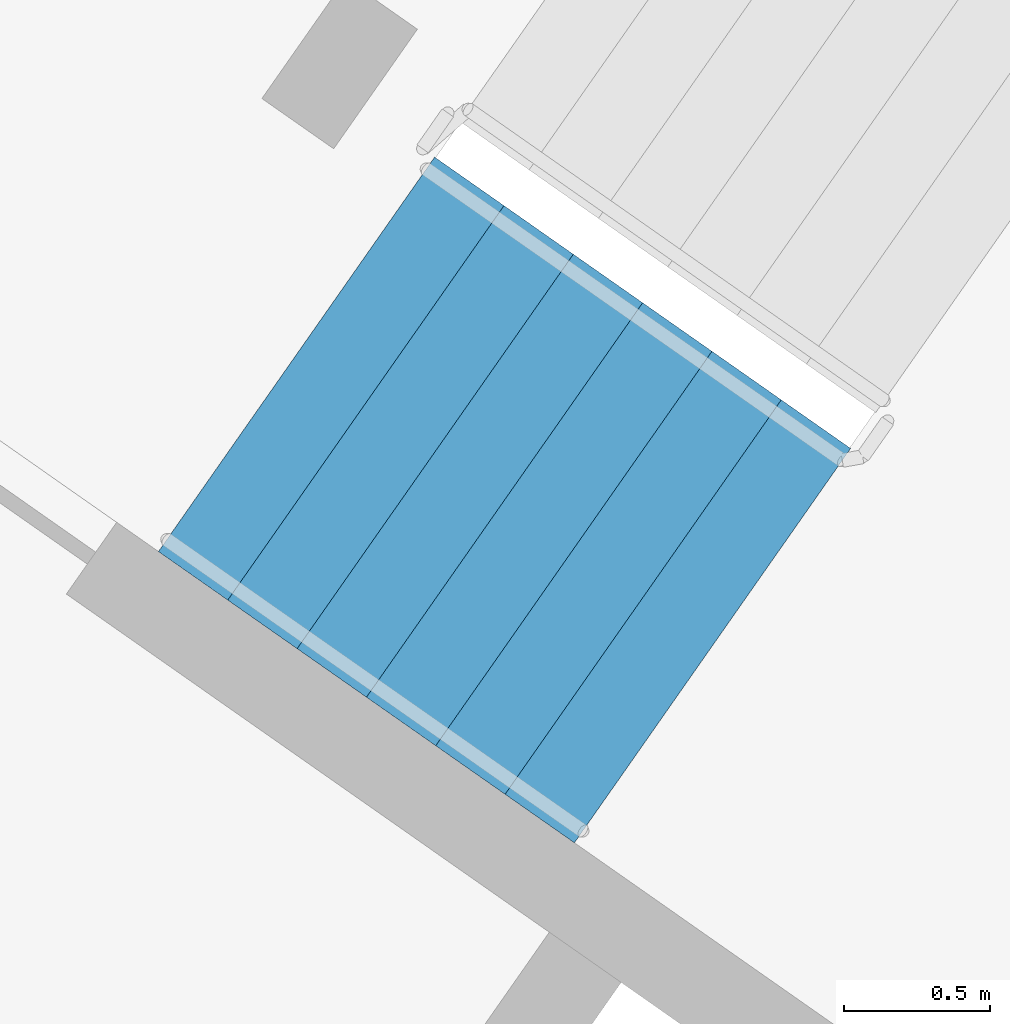
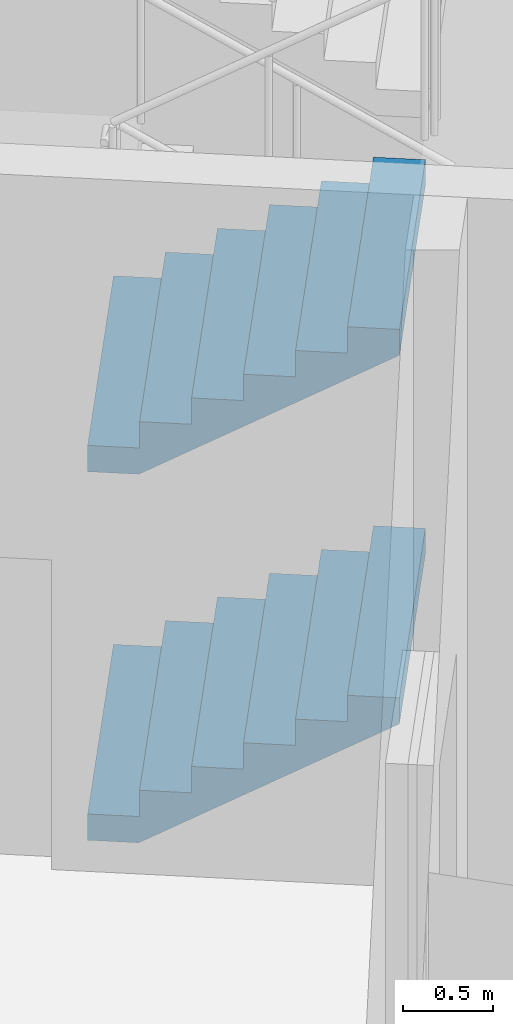
# One storey, part 15 of 24: 2 stair flights, 1 element without a shape of its own.
"""IFC4 building model written with IfcOpenShell, lengths in metres."""

from ifc_helpers import new_model, si_unit, direction, frame, origin, place, context, subcontext, project, spatial, faceted_brep, material, type_object, element, aggregate, save


model = new_model("IFC4")

# Units and contexts
model_context = context("Model", 3, precision=1e-05, world=origin(), true_north=direction((0.0, 1.0)))
body_context = subcontext(model_context, "Body", "Model", "MODEL_VIEW")
ifc_project = project(units=[si_unit("LENGTHUNIT", "METRE"), si_unit("AREAUNIT", "SQUARE_METRE"), si_unit("VOLUMEUNIT", "CUBIC_METRE"), si_unit("PLANEANGLEUNIT", "RADIAN"), si_unit("MASSUNIT", "GRAM", prefix="KILO")], contexts=[model_context])

# Site, building, storey
site_placement = place(None, origin())
site = spatial("IfcSite", under=ifc_project, at=site_placement, CompositionType="ELEMENT")
building_placement = place(site_placement, origin())
building = spatial("IfcBuilding", under=site, at=building_placement, Name="Qamariyya Broadcast Tower", CompositionType="ELEMENT")
storey_placement = place(building_placement, frame((0.0, 0.0, 198.699951171875)))
storey = spatial("IfcBuildingStorey", under=building, at=storey_placement, Name="L47", CompositionType="ELEMENT", Elevation=198.699951171875)

# Stair, stair flights
ifc_material = material(Name="Concrete C50/60", Category="concrete")
stair_type = type_object("IfcStairType", Name="Exit stair 28 risers of 179 mm", PredefinedType="HALF_TURN_STAIR", material=ifc_material)
stair_placement = place(storey_placement, origin())
stair = element("IfcStair", 1, at=stair_placement, inside=storey, type_object=stair_type, Name="L47 Stair W2", PredefinedType="HALF_TURN_STAIR")
stair_flight_type = type_object("IfcStairFlightType", Name="Exit stair flight 7 risers of 179 mm", PredefinedType="STRAIGHT", material=ifc_material)
stair_flight_1_placement = place(storey_placement, frame((-41.59130859375, -49.15966796875, 0.0), z_axis=(0.0, 0.0, 1.0), x_axis=(0.819152044289, -0.573576436351, 0.0)))
stair_flight_1 = element("IfcStairFlight", 2, at=stair_flight_1_placement, type_object=stair_flight_type, Name="ST-W2 flight 1", NumberOfRisers=7, NumberOfTreads=6, PredefinedType="STRAIGHT", RiserHeight=0.178571429, TreadLength=0.29, context=body_context, shape_type="Brep", body=[
    faceted_brep([(0.0, 0.824951171875, 0.0), (0.0, 0.824951171875, 0.178466796875), (0.2900390625, 0.824951171875, 0.178466796875), (0.2900390625, 0.824951171875, 0.357177734375), (0.580078125, 0.824951171875, 0.357177734375), (0.580078125, 0.824951171875, 0.53564453125), (0.8701171875, 0.824951171875, 0.53564453125), (0.8701171875, 0.824951171875, 0.71435546875), (1.159912109375, 0.824951171875, 0.71435546875), (1.159912109375, 0.824951171875, 0.892822265625), (1.449951171875, 0.824951171875, 0.892822265625), (1.449951171875, 0.824951171875, 1.071533203125), (1.739990234375, 0.824951171875, 1.071533203125), (1.739990234375, 0.824951171875, 0.8955078125), (0.285888671875, 0.824951171875, 0.0), (0.285888671875, -0.824951171875, 0.0), (1.739990234375, -0.824951171875, 0.8955078125), (1.739990234375, -0.824951171875, 1.071533203125), (1.449951171875, -0.824951171875, 1.071533203125), (1.449951171875, -0.824951171875, 0.892822265625), (1.159912109375, -0.824951171875, 0.892822265625), (1.159912109375, -0.824951171875, 0.71435546875), (0.8701171875, -0.824951171875, 0.71435546875), (0.8701171875, -0.824951171875, 0.53564453125), (0.580078125, -0.824951171875, 0.53564453125), (0.580078125, -0.824951171875, 0.357177734375), (0.2900390625, -0.824951171875, 0.357177734375), (0.2900390625, -0.824951171875, 0.178466796875), (0.0, -0.824951171875, 0.178466796875), (0.0, -0.824951171875, 0.0), (0.0, 0.10009765625, 0.0), (0.0, 0.086669921875, 0.0), (0.0, 0.0732421875, 0.0), (0.0, 0.06005859375, 0.0), (0.0, 0.046630859375, 0.0), (0.0, 0.033447265625, 0.0), (0.0, 0.02001953125, 0.0), (0.0, 0.006591796875, 0.0), (0.0, -0.006591796875, 0.0), (0.0, -0.02001953125, 0.0), (0.0, -0.033447265625, 0.0), (0.0, -0.046630859375, 0.0), (0.0, -0.06005859375, 0.0), (0.0, -0.0732421875, 0.0), (0.0, -0.086669921875, 0.0), (0.0, -0.10009765625, 0.0), (0.0, -0.10009765625, 0.178466796875), (0.0, -0.086669921875, 0.178466796875), (0.0, -0.0732421875, 0.178466796875), (0.0, -0.06005859375, 0.178466796875), (0.0, -0.046630859375, 0.178466796875), (0.0, -0.033447265625, 0.178466796875), (0.0, -0.02001953125, 0.178466796875), (0.0, -0.006591796875, 0.178466796875), (0.0, 0.006591796875, 0.178466796875), (0.0, 0.02001953125, 0.178466796875), (0.0, 0.033447265625, 0.178466796875), (0.0, 0.046630859375, 0.178466796875), (0.0, 0.06005859375, 0.178466796875), (0.0, 0.0732421875, 0.178466796875), (0.0, 0.086669921875, 0.178466796875), (0.0, 0.10009765625, 0.178466796875), (0.2900390625, -0.10009765625, 0.178466796875), (0.2900390625, -0.086669921875, 0.178466796875), (0.2900390625, -0.0732421875, 0.178466796875), (0.2900390625, -0.06005859375, 0.178466796875), (0.2900390625, -0.046630859375, 0.178466796875), (0.2900390625, -0.033447265625, 0.178466796875), (0.2900390625, -0.02001953125, 0.178466796875), (0.2900390625, -0.006591796875, 0.178466796875), (0.2900390625, 0.006591796875, 0.178466796875), (0.2900390625, 0.02001953125, 0.178466796875), (0.2900390625, 0.033447265625, 0.178466796875), (0.2900390625, 0.046630859375, 0.178466796875), (0.2900390625, 0.06005859375, 0.178466796875), (0.2900390625, 0.0732421875, 0.178466796875), (0.2900390625, 0.086669921875, 0.178466796875), (0.2900390625, 0.10009765625, 0.178466796875), (0.2900390625, -0.10009765625, 0.357177734375), (0.2900390625, -0.086669921875, 0.357177734375), (0.2900390625, -0.0732421875, 0.357177734375), (0.2900390625, -0.06005859375, 0.357177734375), (0.2900390625, -0.046630859375, 0.357177734375), (0.2900390625, -0.033447265625, 0.357177734375), (0.2900390625, -0.02001953125, 0.357177734375), (0.2900390625, -0.006591796875, 0.357177734375), (0.2900390625, 0.006591796875, 0.357177734375), (0.2900390625, 0.02001953125, 0.357177734375), (0.2900390625, 0.033447265625, 0.357177734375), (0.2900390625, 0.046630859375, 0.357177734375), (0.2900390625, 0.06005859375, 0.357177734375), (0.2900390625, 0.0732421875, 0.357177734375), (0.2900390625, 0.086669921875, 0.357177734375), (0.2900390625, 0.10009765625, 0.357177734375), (0.580078125, -0.10009765625, 0.357177734375), (0.580078125, -0.086669921875, 0.357177734375), (0.580078125, -0.0732421875, 0.357177734375), (0.580078125, -0.06005859375, 0.357177734375), (0.580078125, -0.046630859375, 0.357177734375), (0.580078125, -0.033447265625, 0.357177734375), (0.580078125, -0.02001953125, 0.357177734375), (0.580078125, -0.006591796875, 0.357177734375), (0.580078125, 0.006591796875, 0.357177734375), (0.580078125, 0.02001953125, 0.357177734375), (0.580078125, 0.033447265625, 0.357177734375), (0.580078125, 0.046630859375, 0.357177734375), (0.580078125, 0.06005859375, 0.357177734375), (0.580078125, 0.0732421875, 0.357177734375), (0.580078125, 0.086669921875, 0.357177734375), (0.580078125, 0.10009765625, 0.357177734375), (0.580078125, -0.10009765625, 0.53564453125), (0.580078125, -0.086669921875, 0.53564453125), (0.580078125, -0.0732421875, 0.53564453125), (0.580078125, -0.06005859375, 0.53564453125), (0.580078125, -0.046630859375, 0.53564453125), (0.580078125, -0.033447265625, 0.53564453125), (0.580078125, -0.02001953125, 0.53564453125), (0.580078125, -0.006591796875, 0.53564453125), (0.580078125, 0.006591796875, 0.53564453125), (0.580078125, 0.02001953125, 0.53564453125), (0.580078125, 0.033447265625, 0.53564453125), (0.580078125, 0.046630859375, 0.53564453125), (0.580078125, 0.06005859375, 0.53564453125), (0.580078125, 0.0732421875, 0.53564453125), (0.580078125, 0.086669921875, 0.53564453125), (0.580078125, 0.10009765625, 0.53564453125), (0.8701171875, -0.10009765625, 0.53564453125), (0.8701171875, -0.086669921875, 0.53564453125), (0.8701171875, -0.0732421875, 0.53564453125), (0.8701171875, -0.06005859375, 0.53564453125), (0.8701171875, -0.046630859375, 0.53564453125), (0.8701171875, -0.033447265625, 0.53564453125), (0.8701171875, -0.02001953125, 0.53564453125), (0.8701171875, -0.006591796875, 0.53564453125), (0.8701171875, 0.006591796875, 0.53564453125), (0.8701171875, 0.02001953125, 0.53564453125), (0.8701171875, 0.033447265625, 0.53564453125), (0.8701171875, 0.046630859375, 0.53564453125), (0.8701171875, 0.06005859375, 0.53564453125), (0.8701171875, 0.0732421875, 0.53564453125), (0.8701171875, 0.086669921875, 0.53564453125), (0.8701171875, 0.10009765625, 0.53564453125), (0.8701171875, -0.10009765625, 0.71435546875), (0.8701171875, -0.086669921875, 0.71435546875), (0.8701171875, -0.0732421875, 0.71435546875), (0.8701171875, -0.06005859375, 0.71435546875), (0.8701171875, -0.046630859375, 0.71435546875), (0.8701171875, -0.033447265625, 0.71435546875), (0.8701171875, -0.02001953125, 0.71435546875), (0.8701171875, -0.006591796875, 0.71435546875), (0.8701171875, 0.006591796875, 0.71435546875), (0.8701171875, 0.02001953125, 0.71435546875), (0.8701171875, 0.033447265625, 0.71435546875), (0.8701171875, 0.046630859375, 0.71435546875), (0.8701171875, 0.06005859375, 0.71435546875), (0.8701171875, 0.0732421875, 0.71435546875), (0.8701171875, 0.086669921875, 0.71435546875), (0.8701171875, 0.10009765625, 0.71435546875), (1.159912109375, -0.10009765625, 0.71435546875), (1.159912109375, -0.086669921875, 0.71435546875), (1.159912109375, -0.0732421875, 0.71435546875), (1.159912109375, -0.06005859375, 0.71435546875), (1.159912109375, -0.046630859375, 0.71435546875), (1.159912109375, -0.033447265625, 0.71435546875), (1.159912109375, -0.02001953125, 0.71435546875), (1.159912109375, -0.006591796875, 0.71435546875), (1.159912109375, 0.006591796875, 0.71435546875), (1.159912109375, 0.02001953125, 0.71435546875), (1.159912109375, 0.033447265625, 0.71435546875), (1.159912109375, 0.046630859375, 0.71435546875), (1.159912109375, 0.06005859375, 0.71435546875), (1.159912109375, 0.0732421875, 0.71435546875), (1.159912109375, 0.086669921875, 0.71435546875), (1.159912109375, 0.10009765625, 0.71435546875), (1.159912109375, -0.10009765625, 0.892822265625), (1.159912109375, -0.086669921875, 0.892822265625), (1.159912109375, -0.0732421875, 0.892822265625), (1.159912109375, -0.06005859375, 0.892822265625), (1.159912109375, -0.046630859375, 0.892822265625), (1.159912109375, -0.033447265625, 0.892822265625), (1.159912109375, -0.02001953125, 0.892822265625), (1.159912109375, -0.006591796875, 0.892822265625), (1.159912109375, 0.006591796875, 0.892822265625), (1.159912109375, 0.02001953125, 0.892822265625), (1.159912109375, 0.033447265625, 0.892822265625), (1.159912109375, 0.046630859375, 0.892822265625), (1.159912109375, 0.06005859375, 0.892822265625), (1.159912109375, 0.0732421875, 0.892822265625), (1.159912109375, 0.086669921875, 0.892822265625), (1.159912109375, 0.10009765625, 0.892822265625), (1.449951171875, -0.10009765625, 0.892822265625), (1.449951171875, -0.086669921875, 0.892822265625), (1.449951171875, -0.0732421875, 0.892822265625), (1.449951171875, -0.06005859375, 0.892822265625), (1.449951171875, -0.046630859375, 0.892822265625), (1.449951171875, -0.033447265625, 0.892822265625), (1.449951171875, -0.02001953125, 0.892822265625), (1.449951171875, -0.006591796875, 0.892822265625), (1.449951171875, 0.006591796875, 0.892822265625), (1.449951171875, 0.02001953125, 0.892822265625), (1.449951171875, 0.033447265625, 0.892822265625), (1.449951171875, 0.046630859375, 0.892822265625), (1.449951171875, 0.06005859375, 0.892822265625), (1.449951171875, 0.0732421875, 0.892822265625), (1.449951171875, 0.086669921875, 0.892822265625), (1.449951171875, 0.10009765625, 0.892822265625), (1.449951171875, -0.10009765625, 1.071533203125), (1.449951171875, -0.086669921875, 1.071533203125), (1.449951171875, -0.0732421875, 1.071533203125), (1.449951171875, -0.06005859375, 1.071533203125), (1.449951171875, -0.046630859375, 1.071533203125), (1.449951171875, -0.033447265625, 1.071533203125), (1.449951171875, -0.02001953125, 1.071533203125), (1.449951171875, -0.006591796875, 1.071533203125), (1.449951171875, 0.006591796875, 1.071533203125), (1.449951171875, 0.02001953125, 1.071533203125), (1.449951171875, 0.033447265625, 1.071533203125), (1.449951171875, 0.046630859375, 1.071533203125), (1.449951171875, 0.06005859375, 1.071533203125), (1.449951171875, 0.0732421875, 1.071533203125), (1.449951171875, 0.086669921875, 1.071533203125), (1.449951171875, 0.10009765625, 1.071533203125), (1.739990234375, -0.10009765625, 1.071533203125), (1.739990234375, -0.086669921875, 1.071533203125), (1.739990234375, -0.0732421875, 1.071533203125), (1.739990234375, -0.06005859375, 1.071533203125), (1.739990234375, -0.046630859375, 1.071533203125), (1.739990234375, -0.033447265625, 1.071533203125), (1.739990234375, -0.02001953125, 1.071533203125), (1.739990234375, -0.006591796875, 1.071533203125), (1.739990234375, 0.006591796875, 1.071533203125), (1.739990234375, 0.02001953125, 1.071533203125), (1.739990234375, 0.033447265625, 1.071533203125), (1.739990234375, 0.046630859375, 1.071533203125), (1.739990234375, 0.06005859375, 1.071533203125), (1.739990234375, 0.0732421875, 1.071533203125), (1.739990234375, 0.086669921875, 1.071533203125), (1.739990234375, 0.10009765625, 1.071533203125), (1.739990234375, -0.10009765625, 0.8955078125), (1.739990234375, -0.086669921875, 0.8955078125), (1.739990234375, -0.0732421875, 0.8955078125), (1.739990234375, -0.06005859375, 0.8955078125), (1.739990234375, -0.046630859375, 0.8955078125), (1.739990234375, -0.033447265625, 0.8955078125), (1.739990234375, -0.02001953125, 0.8955078125), (1.739990234375, -0.006591796875, 0.8955078125), (1.739990234375, 0.006591796875, 0.8955078125), (1.739990234375, 0.02001953125, 0.8955078125), (1.739990234375, 0.033447265625, 0.8955078125), (1.739990234375, 0.046630859375, 0.8955078125), (1.739990234375, 0.06005859375, 0.8955078125), (1.739990234375, 0.0732421875, 0.8955078125), (1.739990234375, 0.086669921875, 0.8955078125), (1.739990234375, 0.10009765625, 0.8955078125), (0.285888671875, -0.10009765625, 0.0), (0.285888671875, -0.086669921875, 0.0), (0.285888671875, -0.0732421875, 0.0), (0.285888671875, -0.06005859375, 0.0), (0.285888671875, -0.046630859375, 0.0), (0.285888671875, -0.033447265625, 0.0), (0.285888671875, -0.02001953125, 0.0), (0.285888671875, -0.006591796875, 0.0), (0.285888671875, 0.006591796875, 0.0), (0.285888671875, 0.02001953125, 0.0), (0.285888671875, 0.033447265625, 0.0), (0.285888671875, 0.046630859375, 0.0), (0.285888671875, 0.06005859375, 0.0), (0.285888671875, 0.0732421875, 0.0), (0.285888671875, 0.086669921875, 0.0), (0.285888671875, 0.10009765625, 0.0)], [[[0, 1, 2, 3, 4, 5, 6, 7, 8, 9, 10, 11, 12, 13, 14]], [[15, 16, 17, 18, 19, 20, 21, 22, 23, 24, 25, 26, 27, 28, 29]], [[0, 30, 31, 32, 33, 34, 35, 36, 37, 38, 39, 40, 41, 42, 43, 44, 45, 29, 28, 46, 47, 48, 49, 50, 51, 52, 53, 54, 55, 56, 57, 58, 59, 60, 61, 1]], [[1, 61, 60, 59, 58, 57, 56, 55, 54, 53, 52, 51, 50, 49, 48, 47, 46, 28, 27, 62, 63, 64, 65, 66, 67, 68, 69, 70, 71, 72, 73, 74, 75, 76, 77, 2]], [[2, 77, 76, 75, 74, 73, 72, 71, 70, 69, 68, 67, 66, 65, 64, 63, 62, 27, 26, 78, 79, 80, 81, 82, 83, 84, 85, 86, 87, 88, 89, 90, 91, 92, 93, 3]], [[3, 93, 92, 91, 90, 89, 88, 87, 86, 85, 84, 83, 82, 81, 80, 79, 78, 26, 25, 94, 95, 96, 97, 98, 99, 100, 101, 102, 103, 104, 105, 106, 107, 108, 109, 4]], [[4, 109, 108, 107, 106, 105, 104, 103, 102, 101, 100, 99, 98, 97, 96, 95, 94, 25, 24, 110, 111, 112, 113, 114, 115, 116, 117, 118, 119, 120, 121, 122, 123, 124, 125, 5]], [[5, 125, 124, 123, 122, 121, 120, 119, 118, 117, 116, 115, 114, 113, 112, 111, 110, 24, 23, 126, 127, 128, 129, 130, 131, 132, 133, 134, 135, 136, 137, 138, 139, 140, 141, 6]], [[6, 141, 140, 139, 138, 137, 136, 135, 134, 133, 132, 131, 130, 129, 128, 127, 126, 23, 22, 142, 143, 144, 145, 146, 147, 148, 149, 150, 151, 152, 153, 154, 155, 156, 157, 7]], [[7, 157, 156, 155, 154, 153, 152, 151, 150, 149, 148, 147, 146, 145, 144, 143, 142, 22, 21, 158, 159, 160, 161, 162, 163, 164, 165, 166, 167, 168, 169, 170, 171, 172, 173, 8]], [[8, 173, 172, 171, 170, 169, 168, 167, 166, 165, 164, 163, 162, 161, 160, 159, 158, 21, 20, 174, 175, 176, 177, 178, 179, 180, 181, 182, 183, 184, 185, 186, 187, 188, 189, 9]], [[9, 189, 188, 187, 186, 185, 184, 183, 182, 181, 180, 179, 178, 177, 176, 175, 174, 20, 19, 190, 191, 192, 193, 194, 195, 196, 197, 198, 199, 200, 201, 202, 203, 204, 205, 10]], [[10, 205, 204, 203, 202, 201, 200, 199, 198, 197, 196, 195, 194, 193, 192, 191, 190, 19, 18, 206, 207, 208, 209, 210, 211, 212, 213, 214, 215, 216, 217, 218, 219, 220, 221, 11]], [[11, 221, 220, 219, 218, 217, 216, 215, 214, 213, 212, 211, 210, 209, 208, 207, 206, 18, 17, 222, 223, 224, 225, 226, 227, 228, 229, 230, 231, 232, 233, 234, 235, 236, 237, 12]], [[12, 237, 236, 235, 234, 233, 232, 231, 230, 229, 228, 227, 226, 225, 224, 223, 222, 17, 16, 238, 239, 240, 241, 242, 243, 244, 245, 246, 247, 248, 249, 250, 251, 252, 253, 13]], [[13, 253, 252, 251, 250, 249, 248, 247, 246, 245, 244, 243, 242, 241, 240, 239, 238, 16, 15, 254, 255, 256, 257, 258, 259, 260, 261, 262, 263, 264, 265, 266, 267, 268, 269, 14]], [[14, 269, 268, 267, 266, 265, 264, 263, 262, 261, 260, 259, 258, 257, 256, 255, 254, 15, 29, 45, 44, 43, 42, 41, 40, 39, 38, 37, 36, 35, 34, 33, 32, 31, 30, 0]]]),
])
stair_flight_2_placement = place(storey_placement, frame((-41.59130859375, -49.15966796875, 2.5), z_axis=(0.0, 0.0, 1.0), x_axis=(0.819152044289, -0.573576436351, 0.0)))
stair_flight_2 = element("IfcStairFlight", 3, at=stair_flight_2_placement, type_object=stair_flight_type, Name="ST-W2 flight 3", NumberOfRisers=7, NumberOfTreads=6, PredefinedType="STRAIGHT", RiserHeight=0.178571429, TreadLength=0.29, context=body_context, shape_type="Brep", body=[
    faceted_brep([(0.0, 0.824951171875, 0.0), (0.0, 0.824951171875, 0.178466796875), (0.2900390625, 0.824951171875, 0.178466796875), (0.2900390625, 0.824951171875, 0.357177734375), (0.580078125, 0.824951171875, 0.357177734375), (0.580078125, 0.824951171875, 0.53564453125), (0.8701171875, 0.824951171875, 0.53564453125), (0.8701171875, 0.824951171875, 0.71435546875), (1.159912109375, 0.824951171875, 0.71435546875), (1.159912109375, 0.824951171875, 0.892822265625), (1.449951171875, 0.824951171875, 0.892822265625), (1.449951171875, 0.824951171875, 1.071533203125), (1.739990234375, 0.824951171875, 1.071533203125), (1.739990234375, 0.824951171875, 0.8955078125), (0.285888671875, 0.824951171875, 0.0), (0.285888671875, -0.824951171875, 0.0), (1.739990234375, -0.824951171875, 0.8955078125), (1.739990234375, -0.824951171875, 1.071533203125), (1.449951171875, -0.824951171875, 1.071533203125), (1.449951171875, -0.824951171875, 0.892822265625), (1.159912109375, -0.824951171875, 0.892822265625), (1.159912109375, -0.824951171875, 0.71435546875), (0.8701171875, -0.824951171875, 0.71435546875), (0.8701171875, -0.824951171875, 0.53564453125), (0.580078125, -0.824951171875, 0.53564453125), (0.580078125, -0.824951171875, 0.357177734375), (0.2900390625, -0.824951171875, 0.357177734375), (0.2900390625, -0.824951171875, 0.178466796875), (0.0, -0.824951171875, 0.178466796875), (0.0, -0.824951171875, 0.0), (0.0, 0.10009765625, 0.0), (0.0, 0.086669921875, 0.0), (0.0, 0.0732421875, 0.0), (0.0, 0.06005859375, 0.0), (0.0, 0.046630859375, 0.0), (0.0, 0.033447265625, 0.0), (0.0, 0.02001953125, 0.0), (0.0, 0.006591796875, 0.0), (0.0, -0.006591796875, 0.0), (0.0, -0.02001953125, 0.0), (0.0, -0.033447265625, 0.0), (0.0, -0.046630859375, 0.0), (0.0, -0.06005859375, 0.0), (0.0, -0.0732421875, 0.0), (0.0, -0.086669921875, 0.0), (0.0, -0.10009765625, 0.0), (0.0, -0.10009765625, 0.178466796875), (0.0, -0.086669921875, 0.178466796875), (0.0, -0.0732421875, 0.178466796875), (0.0, -0.06005859375, 0.178466796875), (0.0, -0.046630859375, 0.178466796875), (0.0, -0.033447265625, 0.178466796875), (0.0, -0.02001953125, 0.178466796875), (0.0, -0.006591796875, 0.178466796875), (0.0, 0.006591796875, 0.178466796875), (0.0, 0.02001953125, 0.178466796875), (0.0, 0.033447265625, 0.178466796875), (0.0, 0.046630859375, 0.178466796875), (0.0, 0.06005859375, 0.178466796875), (0.0, 0.0732421875, 0.178466796875), (0.0, 0.086669921875, 0.178466796875), (0.0, 0.10009765625, 0.178466796875), (0.2900390625, -0.10009765625, 0.178466796875), (0.2900390625, -0.086669921875, 0.178466796875), (0.2900390625, -0.0732421875, 0.178466796875), (0.2900390625, -0.06005859375, 0.178466796875), (0.2900390625, -0.046630859375, 0.178466796875), (0.2900390625, -0.033447265625, 0.178466796875), (0.2900390625, -0.02001953125, 0.178466796875), (0.2900390625, -0.006591796875, 0.178466796875), (0.2900390625, 0.006591796875, 0.178466796875), (0.2900390625, 0.02001953125, 0.178466796875), (0.2900390625, 0.033447265625, 0.178466796875), (0.2900390625, 0.046630859375, 0.178466796875), (0.2900390625, 0.06005859375, 0.178466796875), (0.2900390625, 0.0732421875, 0.178466796875), (0.2900390625, 0.086669921875, 0.178466796875), (0.2900390625, 0.10009765625, 0.178466796875), (0.2900390625, -0.10009765625, 0.357177734375), (0.2900390625, -0.086669921875, 0.357177734375), (0.2900390625, -0.0732421875, 0.357177734375), (0.2900390625, -0.06005859375, 0.357177734375), (0.2900390625, -0.046630859375, 0.357177734375), (0.2900390625, -0.033447265625, 0.357177734375), (0.2900390625, -0.02001953125, 0.357177734375), (0.2900390625, -0.006591796875, 0.357177734375), (0.2900390625, 0.006591796875, 0.357177734375), (0.2900390625, 0.02001953125, 0.357177734375), (0.2900390625, 0.033447265625, 0.357177734375), (0.2900390625, 0.046630859375, 0.357177734375), (0.2900390625, 0.06005859375, 0.357177734375), (0.2900390625, 0.0732421875, 0.357177734375), (0.2900390625, 0.086669921875, 0.357177734375), (0.2900390625, 0.10009765625, 0.357177734375), (0.580078125, -0.10009765625, 0.357177734375), (0.580078125, -0.086669921875, 0.357177734375), (0.580078125, -0.0732421875, 0.357177734375), (0.580078125, -0.06005859375, 0.357177734375), (0.580078125, -0.046630859375, 0.357177734375), (0.580078125, -0.033447265625, 0.357177734375), (0.580078125, -0.02001953125, 0.357177734375), (0.580078125, -0.006591796875, 0.357177734375), (0.580078125, 0.006591796875, 0.357177734375), (0.580078125, 0.02001953125, 0.357177734375), (0.580078125, 0.033447265625, 0.357177734375), (0.580078125, 0.046630859375, 0.357177734375), (0.580078125, 0.06005859375, 0.357177734375), (0.580078125, 0.0732421875, 0.357177734375), (0.580078125, 0.086669921875, 0.357177734375), (0.580078125, 0.10009765625, 0.357177734375), (0.580078125, -0.10009765625, 0.53564453125), (0.580078125, -0.086669921875, 0.53564453125), (0.580078125, -0.0732421875, 0.53564453125), (0.580078125, -0.06005859375, 0.53564453125), (0.580078125, -0.046630859375, 0.53564453125), (0.580078125, -0.033447265625, 0.53564453125), (0.580078125, -0.02001953125, 0.53564453125), (0.580078125, -0.006591796875, 0.53564453125), (0.580078125, 0.006591796875, 0.53564453125), (0.580078125, 0.02001953125, 0.53564453125), (0.580078125, 0.033447265625, 0.53564453125), (0.580078125, 0.046630859375, 0.53564453125), (0.580078125, 0.06005859375, 0.53564453125), (0.580078125, 0.0732421875, 0.53564453125), (0.580078125, 0.086669921875, 0.53564453125), (0.580078125, 0.10009765625, 0.53564453125), (0.8701171875, -0.10009765625, 0.53564453125), (0.8701171875, -0.086669921875, 0.53564453125), (0.8701171875, -0.0732421875, 0.53564453125), (0.8701171875, -0.06005859375, 0.53564453125), (0.8701171875, -0.046630859375, 0.53564453125), (0.8701171875, -0.033447265625, 0.53564453125), (0.8701171875, -0.02001953125, 0.53564453125), (0.8701171875, -0.006591796875, 0.53564453125), (0.8701171875, 0.006591796875, 0.53564453125), (0.8701171875, 0.02001953125, 0.53564453125), (0.8701171875, 0.033447265625, 0.53564453125), (0.8701171875, 0.046630859375, 0.53564453125), (0.8701171875, 0.06005859375, 0.53564453125), (0.8701171875, 0.0732421875, 0.53564453125), (0.8701171875, 0.086669921875, 0.53564453125), (0.8701171875, 0.10009765625, 0.53564453125), (0.8701171875, -0.10009765625, 0.71435546875), (0.8701171875, -0.086669921875, 0.71435546875), (0.8701171875, -0.0732421875, 0.71435546875), (0.8701171875, -0.06005859375, 0.71435546875), (0.8701171875, -0.046630859375, 0.71435546875), (0.8701171875, -0.033447265625, 0.71435546875), (0.8701171875, -0.02001953125, 0.71435546875), (0.8701171875, -0.006591796875, 0.71435546875), (0.8701171875, 0.006591796875, 0.71435546875), (0.8701171875, 0.02001953125, 0.71435546875), (0.8701171875, 0.033447265625, 0.71435546875), (0.8701171875, 0.046630859375, 0.71435546875), (0.8701171875, 0.06005859375, 0.71435546875), (0.8701171875, 0.0732421875, 0.71435546875), (0.8701171875, 0.086669921875, 0.71435546875), (0.8701171875, 0.10009765625, 0.71435546875), (1.159912109375, -0.10009765625, 0.71435546875), (1.159912109375, -0.086669921875, 0.71435546875), (1.159912109375, -0.0732421875, 0.71435546875), (1.159912109375, -0.06005859375, 0.71435546875), (1.159912109375, -0.046630859375, 0.71435546875), (1.159912109375, -0.033447265625, 0.71435546875), (1.159912109375, -0.02001953125, 0.71435546875), (1.159912109375, -0.006591796875, 0.71435546875), (1.159912109375, 0.006591796875, 0.71435546875), (1.159912109375, 0.02001953125, 0.71435546875), (1.159912109375, 0.033447265625, 0.71435546875), (1.159912109375, 0.046630859375, 0.71435546875), (1.159912109375, 0.06005859375, 0.71435546875), (1.159912109375, 0.0732421875, 0.71435546875), (1.159912109375, 0.086669921875, 0.71435546875), (1.159912109375, 0.10009765625, 0.71435546875), (1.159912109375, -0.10009765625, 0.892822265625), (1.159912109375, -0.086669921875, 0.892822265625), (1.159912109375, -0.0732421875, 0.892822265625), (1.159912109375, -0.06005859375, 0.892822265625), (1.159912109375, -0.046630859375, 0.892822265625), (1.159912109375, -0.033447265625, 0.892822265625), (1.159912109375, -0.02001953125, 0.892822265625), (1.159912109375, -0.006591796875, 0.892822265625), (1.159912109375, 0.006591796875, 0.892822265625), (1.159912109375, 0.02001953125, 0.892822265625), (1.159912109375, 0.033447265625, 0.892822265625), (1.159912109375, 0.046630859375, 0.892822265625), (1.159912109375, 0.06005859375, 0.892822265625), (1.159912109375, 0.0732421875, 0.892822265625), (1.159912109375, 0.086669921875, 0.892822265625), (1.159912109375, 0.10009765625, 0.892822265625), (1.449951171875, -0.10009765625, 0.892822265625), (1.449951171875, -0.086669921875, 0.892822265625), (1.449951171875, -0.0732421875, 0.892822265625), (1.449951171875, -0.06005859375, 0.892822265625), (1.449951171875, -0.046630859375, 0.892822265625), (1.449951171875, -0.033447265625, 0.892822265625), (1.449951171875, -0.02001953125, 0.892822265625), (1.449951171875, -0.006591796875, 0.892822265625), (1.449951171875, 0.006591796875, 0.892822265625), (1.449951171875, 0.02001953125, 0.892822265625), (1.449951171875, 0.033447265625, 0.892822265625), (1.449951171875, 0.046630859375, 0.892822265625), (1.449951171875, 0.06005859375, 0.892822265625), (1.449951171875, 0.0732421875, 0.892822265625), (1.449951171875, 0.086669921875, 0.892822265625), (1.449951171875, 0.10009765625, 0.892822265625), (1.449951171875, -0.10009765625, 1.071533203125), (1.449951171875, -0.086669921875, 1.071533203125), (1.449951171875, -0.0732421875, 1.071533203125), (1.449951171875, -0.06005859375, 1.071533203125), (1.449951171875, -0.046630859375, 1.071533203125), (1.449951171875, -0.033447265625, 1.071533203125), (1.449951171875, -0.02001953125, 1.071533203125), (1.449951171875, -0.006591796875, 1.071533203125), (1.449951171875, 0.006591796875, 1.071533203125), (1.449951171875, 0.02001953125, 1.071533203125), (1.449951171875, 0.033447265625, 1.071533203125), (1.449951171875, 0.046630859375, 1.071533203125), (1.449951171875, 0.06005859375, 1.071533203125), (1.449951171875, 0.0732421875, 1.071533203125), (1.449951171875, 0.086669921875, 1.071533203125), (1.449951171875, 0.10009765625, 1.071533203125), (1.739990234375, -0.10009765625, 1.071533203125), (1.739990234375, -0.086669921875, 1.071533203125), (1.739990234375, -0.0732421875, 1.071533203125), (1.739990234375, -0.06005859375, 1.071533203125), (1.739990234375, -0.046630859375, 1.071533203125), (1.739990234375, -0.033447265625, 1.071533203125), (1.739990234375, -0.02001953125, 1.071533203125), (1.739990234375, -0.006591796875, 1.071533203125), (1.739990234375, 0.006591796875, 1.071533203125), (1.739990234375, 0.02001953125, 1.071533203125), (1.739990234375, 0.033447265625, 1.071533203125), (1.739990234375, 0.046630859375, 1.071533203125), (1.739990234375, 0.06005859375, 1.071533203125), (1.739990234375, 0.0732421875, 1.071533203125), (1.739990234375, 0.086669921875, 1.071533203125), (1.739990234375, 0.10009765625, 1.071533203125), (1.739990234375, -0.10009765625, 0.8955078125), (1.739990234375, -0.086669921875, 0.8955078125), (1.739990234375, -0.0732421875, 0.8955078125), (1.739990234375, -0.06005859375, 0.8955078125), (1.739990234375, -0.046630859375, 0.8955078125), (1.739990234375, -0.033447265625, 0.8955078125), (1.739990234375, -0.02001953125, 0.8955078125), (1.739990234375, -0.006591796875, 0.8955078125), (1.739990234375, 0.006591796875, 0.8955078125), (1.739990234375, 0.02001953125, 0.8955078125), (1.739990234375, 0.033447265625, 0.8955078125), (1.739990234375, 0.046630859375, 0.8955078125), (1.739990234375, 0.06005859375, 0.8955078125), (1.739990234375, 0.0732421875, 0.8955078125), (1.739990234375, 0.086669921875, 0.8955078125), (1.739990234375, 0.10009765625, 0.8955078125), (0.285888671875, -0.10009765625, 0.0), (0.285888671875, -0.086669921875, 0.0), (0.285888671875, -0.0732421875, 0.0), (0.285888671875, -0.06005859375, 0.0), (0.285888671875, -0.046630859375, 0.0), (0.285888671875, -0.033447265625, 0.0), (0.285888671875, -0.02001953125, 0.0), (0.285888671875, -0.006591796875, 0.0), (0.285888671875, 0.006591796875, 0.0), (0.285888671875, 0.02001953125, 0.0), (0.285888671875, 0.033447265625, 0.0), (0.285888671875, 0.046630859375, 0.0), (0.285888671875, 0.06005859375, 0.0), (0.285888671875, 0.0732421875, 0.0), (0.285888671875, 0.086669921875, 0.0), (0.285888671875, 0.10009765625, 0.0)], [[[0, 1, 2, 3, 4, 5, 6, 7, 8, 9, 10, 11, 12, 13, 14]], [[15, 16, 17, 18, 19, 20, 21, 22, 23, 24, 25, 26, 27, 28, 29]], [[0, 30, 31, 32, 33, 34, 35, 36, 37, 38, 39, 40, 41, 42, 43, 44, 45, 29, 28, 46, 47, 48, 49, 50, 51, 52, 53, 54, 55, 56, 57, 58, 59, 60, 61, 1]], [[1, 61, 60, 59, 58, 57, 56, 55, 54, 53, 52, 51, 50, 49, 48, 47, 46, 28, 27, 62, 63, 64, 65, 66, 67, 68, 69, 70, 71, 72, 73, 74, 75, 76, 77, 2]], [[2, 77, 76, 75, 74, 73, 72, 71, 70, 69, 68, 67, 66, 65, 64, 63, 62, 27, 26, 78, 79, 80, 81, 82, 83, 84, 85, 86, 87, 88, 89, 90, 91, 92, 93, 3]], [[3, 93, 92, 91, 90, 89, 88, 87, 86, 85, 84, 83, 82, 81, 80, 79, 78, 26, 25, 94, 95, 96, 97, 98, 99, 100, 101, 102, 103, 104, 105, 106, 107, 108, 109, 4]], [[4, 109, 108, 107, 106, 105, 104, 103, 102, 101, 100, 99, 98, 97, 96, 95, 94, 25, 24, 110, 111, 112, 113, 114, 115, 116, 117, 118, 119, 120, 121, 122, 123, 124, 125, 5]], [[5, 125, 124, 123, 122, 121, 120, 119, 118, 117, 116, 115, 114, 113, 112, 111, 110, 24, 23, 126, 127, 128, 129, 130, 131, 132, 133, 134, 135, 136, 137, 138, 139, 140, 141, 6]], [[6, 141, 140, 139, 138, 137, 136, 135, 134, 133, 132, 131, 130, 129, 128, 127, 126, 23, 22, 142, 143, 144, 145, 146, 147, 148, 149, 150, 151, 152, 153, 154, 155, 156, 157, 7]], [[7, 157, 156, 155, 154, 153, 152, 151, 150, 149, 148, 147, 146, 145, 144, 143, 142, 22, 21, 158, 159, 160, 161, 162, 163, 164, 165, 166, 167, 168, 169, 170, 171, 172, 173, 8]], [[8, 173, 172, 171, 170, 169, 168, 167, 166, 165, 164, 163, 162, 161, 160, 159, 158, 21, 20, 174, 175, 176, 177, 178, 179, 180, 181, 182, 183, 184, 185, 186, 187, 188, 189, 9]], [[9, 189, 188, 187, 186, 185, 184, 183, 182, 181, 180, 179, 178, 177, 176, 175, 174, 20, 19, 190, 191, 192, 193, 194, 195, 196, 197, 198, 199, 200, 201, 202, 203, 204, 205, 10]], [[10, 205, 204, 203, 202, 201, 200, 199, 198, 197, 196, 195, 194, 193, 192, 191, 190, 19, 18, 206, 207, 208, 209, 210, 211, 212, 213, 214, 215, 216, 217, 218, 219, 220, 221, 11]], [[11, 221, 220, 219, 218, 217, 216, 215, 214, 213, 212, 211, 210, 209, 208, 207, 206, 18, 17, 222, 223, 224, 225, 226, 227, 228, 229, 230, 231, 232, 233, 234, 235, 236, 237, 12]], [[12, 237, 236, 235, 234, 233, 232, 231, 230, 229, 228, 227, 226, 225, 224, 223, 222, 17, 16, 238, 239, 240, 241, 242, 243, 244, 245, 246, 247, 248, 249, 250, 251, 252, 253, 13]], [[13, 253, 252, 251, 250, 249, 248, 247, 246, 245, 244, 243, 242, 241, 240, 239, 238, 16, 15, 254, 255, 256, 257, 258, 259, 260, 261, 262, 263, 264, 265, 266, 267, 268, 269, 14]], [[14, 269, 268, 267, 266, 265, 264, 263, 262, 261, 260, 259, 258, 257, 256, 255, 254, 15, 29, 45, 44, 43, 42, 41, 40, 39, 38, 37, 36, 35, 34, 33, 32, 31, 30, 0]]]),
])
aggregate(stair, [stair_flight_1, stair_flight_2])

save(model, "model.ifc")
